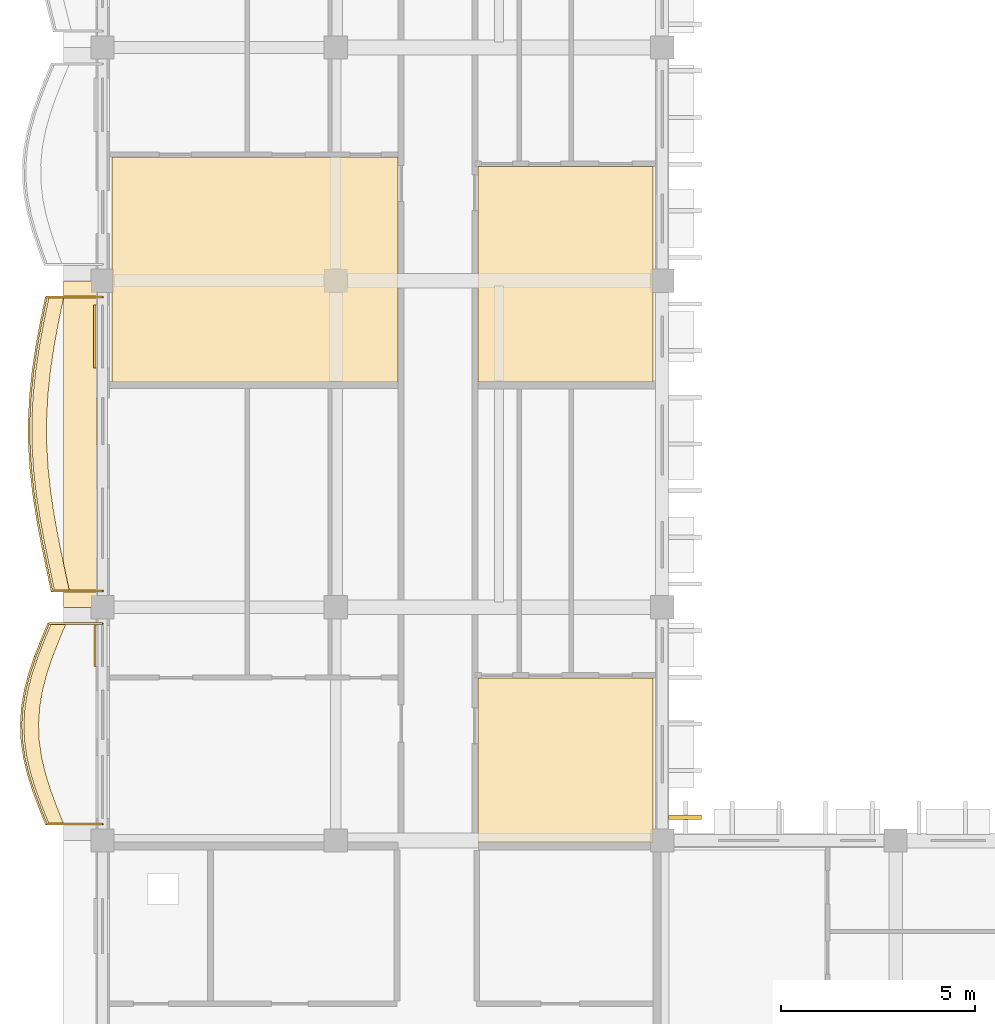
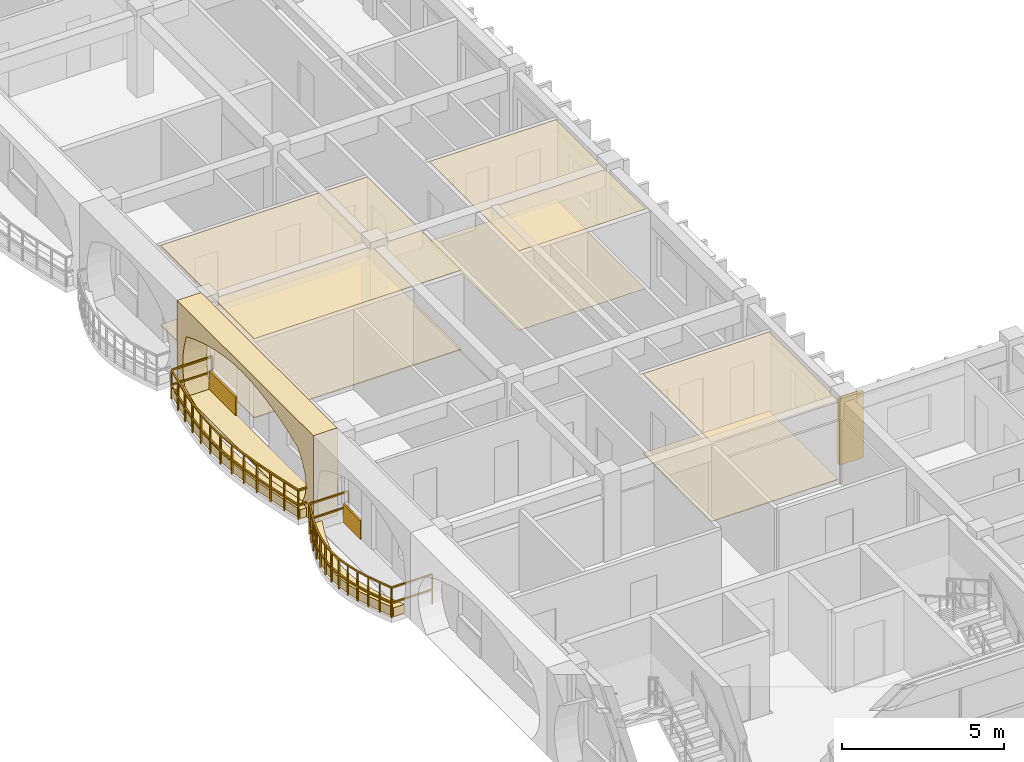
# One storey, part 70 of 101: 12 coverings, 2 railings.
"""IFC4 building model written with IfcOpenShell, lengths in metres."""

from ifc_helpers import new_model, si_unit, direction, frame, origin, origin_2d, place, context, subcontext, project, spatial, polyline, rectangle, outline, extrude, material, layer, layer_set, type_object, element, save


model = new_model("IFC4")

# Units and contexts
model_context = context("Model", 3, precision=1e-05, world=origin(), true_north=direction((0.0, 1.0)))
body_context = subcontext(model_context, "Body", "Model", "MODEL_VIEW")
ifc_project = project(units=[si_unit("LENGTHUNIT", "METRE"), si_unit("AREAUNIT", "SQUARE_METRE"), si_unit("VOLUMEUNIT", "CUBIC_METRE"), si_unit("PLANEANGLEUNIT", "RADIAN"), si_unit("MASSUNIT", "GRAM", prefix="KILO"), si_unit("THERMODYNAMICTEMPERATUREUNIT", "KELVIN")], contexts=[model_context])

# Site, building, storey
site_placement = place(None, origin())
site = spatial("IfcSite", under=ifc_project, at=site_placement, CompositionType="ELEMENT")
building_placement = place(site_placement, origin())
building = spatial("IfcBuilding", under=site, at=building_placement, Name="Thalorik Housing Commons", CompositionType="ELEMENT")
storey_placement = place(building_placement, frame((0.0, 0.0, 8.10009765625)))
storey = spatial("IfcBuildingStorey", under=building, at=storey_placement, Name="L02", CompositionType="ELEMENT", Elevation=8.10009765625)

# Coverings
ifc_material_1 = material(Name="Precast concrete C40/50", Category="concrete")
ifc_layer_1 = layer(ifc_material_1, 0.85009765625, Name="Precast concrete C40/50", Category="concrete")
ifc_layer_set_1 = layer_set([ifc_layer_1], Name="Precast concrete C40/50")
covering_type_1 = type_object("IfcCoveringType", Name="ARC-CLD-CUSH-850", PredefinedType="CLADDING", material=ifc_layer_set_1)
covering_1_placement = place(storey_placement, frame((7.81494140625, 33.0, 0.0), z_axis=(0.0, 0.0, 1.0), x_axis=(0.0, -1.0, 0.0)))
element("IfcCovering", 1, at=covering_1_placement, inside=storey, type_object=covering_type_1, Name="L02 White Precast Curved Cushion Bay Frame 3595", PredefinedType="CLADDING", context=body_context, shape_type="SweptSolid", body=[
    extrude(outline(polyline([(-4.199951171875, 0.0), (4.199951171875, 0.0), (4.199951171875, 3.300048828125), (-4.199951171875, 3.300048828125), (-4.199951171875, 0.0)]), holes=[polyline([(3.239990234375, 0.02490234375), (3.523193359375, 0.40087890625), (3.693359375, 0.776611328125), (3.75, 1.152587890625), (3.693359375, 1.5283203125), (3.523193359375, 1.904296875), (3.239990234375, 2.280029296875), (2.66796875, 2.51123046875), (2.095703125, 2.693115234375), (1.523681640625, 2.840087890625), (0.95166015625, 2.94970703125), (0.379638671875, 3.01708984375), (-0.1923828125, 3.0400390625), (-0.7646484375, 3.01708984375), (-1.336669921875, 2.94970703125), (-1.90869140625, 2.840087890625), (-2.480712890625, 2.693115234375), (-3.052978515625, 2.51123046875), (-3.625, 2.280029296875), (-3.746337890625, 1.904296875), (-3.819091796875, 1.5283203125), (-3.843505859375, 1.152587890625), (-3.819091796875, 0.776611328125), (-3.746337890625, 0.40087890625), (-3.625, 0.02490234375), (3.239990234375, 0.02490234375)])]), frame((0.0, 0.425048828125, 0.0), z_axis=(0.0, -1.0, 0.0), x_axis=(1.0, 0.0, 0.0)), (0.0, 0.0, 1.0), 0.85009765625),
])
ifc_layer_2 = layer(ifc_material_1, 0.85009765625, Name="Precast concrete C40/50", Category="concrete")
ifc_layer_set_2 = layer_set([ifc_layer_2], Name="Precast concrete C40/50")
covering_type_2 = type_object("IfcCoveringType", Name="ARC-CLD-FIN-850", PredefinedType="CLADDING", material=ifc_layer_set_2)
covering_2_placement = place(storey_placement, frame((23.385009765625, 23.39990234375, 0.039794921875), z_axis=(0.0, 0.0, 1.0), x_axis=(0.0, 1.0, 0.0)))
element("IfcCovering", 2, at=covering_2_placement, inside=storey, type_object=covering_type_2, Name="L02 Courtyard Precast Vertical Brise-Soleil Fin 3531", PredefinedType="CLADDING", context=body_context, shape_type="SweptSolid", body=[
    extrude(rectangle(XDim=0.110107421875, YDim=0.85009765625, at=origin_2d()), origin(), (0.0, 0.0, 1.0), 2.4951171875),
])
ifc_material_2 = material(Name="Terracotta red mineral fibre-cement panel", Category="masonry")
ifc_layer_3 = layer(ifc_material_2, 0.054931640625, Name="Terracotta red mineral fibre-cement panel", Category="masonry")
ifc_layer_set_3 = layer_set([ifc_layer_3], Name="Terracotta red mineral fibre-cement panel")
covering_type_3 = type_object("IfcCoveringType", Name="ARC-CLD-RED-55", PredefinedType="CLADDING", material=ifc_layer_set_3)
covering_3_placement = place(storey_placement, frame((8.20751953125, 27.800048828125, 0.0498046875), z_axis=(0.0, 0.0, 1.0), x_axis=(0.0, -1.0, 0.0)))
element("IfcCovering", 3, at=covering_3_placement, inside=storey, type_object=covering_type_3, Name="L02 De Stijl Recessed Window Spandrel 3598", PredefinedType="CLADDING", context=body_context, shape_type="SweptSolid", body=[
    extrude(rectangle(XDim=1.050048828125, YDim=0.054931640625, at=origin_2d()), origin(), (0.0, 0.0, 1.0), 0.699951171875),
])
ifc_material_3 = material(Name="Mineral ochre architectural terracotta panel", Category="masonry")
ifc_layer_4 = layer(ifc_material_3, 0.06494140625, Name="Mineral ochre architectural terracotta panel", Category="masonry")
ifc_layer_set_4 = layer_set([ifc_layer_4], Name="Mineral ochre architectural terracotta panel")
covering_type_4 = type_object("IfcCoveringType", Name="ARC-CLD-YEL-65", PredefinedType="CLADDING", material=ifc_layer_set_4)
covering_4_placement = place(storey_placement, frame((8.202392578125, 35.764892578125, 0.0498046875), z_axis=(0.0, 0.0, 1.0), x_axis=(0.0, -1.0, 0.0)))
element("IfcCovering", 4, at=covering_4_placement, inside=storey, type_object=covering_type_4, Name="L02 De Stijl Recessed Window Spandrel 3596", PredefinedType="CLADDING", context=body_context, shape_type="SweptSolid", body=[
    extrude(rectangle(XDim=1.6201171875, YDim=0.06494140625, at=origin_2d()), origin(), (0.0, 0.0, 1.0), 0.699951171875),
])
ifc_material_4 = material(Name="Perforated acoustic gypsum ceiling board")
ifc_layer_5 = layer(ifc_material_4, 0.014892578125, Name="Perforated acoustic gypsum ceiling board")
ifc_layer_set_5 = layer_set([ifc_layer_5], Name="Perforated acoustic gypsum ceiling board")
covering_type_5 = type_object("IfcCoveringType", Name="ARC-COV-CEIL-01", PredefinedType="CEILING", material=ifc_layer_set_5)
covering_5_placement = place(storey_placement, frame((0.0, 0.0, 2.98486328125)))
element("IfcCovering", 5, at=covering_5_placement, inside=storey, type_object=covering_type_5, Name="L02 Living Dining Room Suspended Ceiling", PredefinedType="CEILING", context=body_context, shape_type="SweptSolid", body=[
    extrude(outline(polyline([(22.56005859375, 40.142822265625), (18.06005859375, 40.142822265625), (18.06005859375, 34.60009765625), (22.56005859375, 34.60009765625), (22.56005859375, 40.142822265625)])), origin(), (0.0, 0.0, 1.0), 0.01513671875),
])
ifc_material_5 = material(Name="Fire-rated calcium silicate corridor ceiling")
ifc_layer_6 = layer(ifc_material_5, 0.030029296875, Name="Fire-rated calcium silicate corridor ceiling")
ifc_layer_set_6 = layer_set([ifc_layer_6], Name="Fire-rated calcium silicate corridor ceiling")
covering_type_6 = type_object("IfcCoveringType", Name="ARC-COV-CEIL-05", PredefinedType="CEILING", material=ifc_layer_set_6)
covering_6_placement = place(storey_placement, frame((0.0, 0.0, 2.969970703125)))
element("IfcCovering", 6, at=covering_6_placement, inside=storey, type_object=covering_type_6, Name="L02 Family Lounge Suspended Ceiling", PredefinedType="CEILING", context=body_context, shape_type="SweptSolid", body=[
    extrude(outline(polyline([(22.56005859375, 26.98291015625), (18.06005859375, 26.98291015625), (18.06005859375, 22.739990234375), (22.56005859375, 22.739990234375), (22.56005859375, 26.98291015625)])), origin(), (0.0, 0.0, 1.0), 0.030029296875),
])
ifc_material_6 = material(Name="Acoustic wood-wool nursery ceiling panel", Category="wood")
ifc_layer_7 = layer(ifc_material_6, 0.035888671875, Name="Acoustic wood-wool nursery ceiling panel", Category="wood")
ifc_layer_set_7 = layer_set([ifc_layer_7], Name="Acoustic wood-wool nursery ceiling panel")
covering_type_7 = type_object("IfcCoveringType", Name="ARC-COV-CEIL-06", PredefinedType="CEILING", material=ifc_layer_set_7)
covering_7_placement = place(storey_placement, frame((0.0, 0.0, 2.9638671875)))
element("IfcCovering", 7, at=covering_7_placement, inside=storey, type_object=covering_type_7, Name="L02 Living Dining Room Suspended Ceiling", PredefinedType="CEILING", context=body_context, shape_type="SweptSolid", body=[
    extrude(outline(polyline([(16.0, 40.3798828125), (8.639892578125, 40.3798828125), (8.639892578125, 34.60009765625), (16.0, 34.60009765625), (16.0, 40.3798828125)])), origin(), (0.0, 0.0, 1.0), 0.0361328125),
])
ifc_material_7 = material(Name="Glazed Recife ceramic apartment floor tile")
ifc_layer_8 = layer(ifc_material_7, 0.011962890625, Name="Glazed Recife ceramic apartment floor tile")
ifc_layer_set_8 = layer_set([ifc_layer_8], Name="Glazed Recife ceramic apartment floor tile")
covering_type_8 = type_object("IfcCoveringType", Name="ARC-COV-FLR-01", PredefinedType="FLOORING", material=ifc_layer_set_8)
covering_8_placement = place(storey_placement, origin())
element("IfcCovering", 8, at=covering_8_placement, inside=storey, type_object=covering_type_8, Name="L02 Living Dining Room Flooring", PredefinedType="FLOORING", context=body_context, shape_type="SweptSolid", body=[
    extrude(outline(polyline([(22.56005859375, 40.142822265625), (18.06005859375, 40.142822265625), (18.06005859375, 34.60009765625), (22.56005859375, 34.60009765625), (22.56005859375, 40.142822265625)])), origin(), (0.0, 0.0, 1.0), 0.011962890625),
])
ifc_material_8 = material(Name="Heavy-duty porcelain metro vestibule tile")
ifc_layer_9 = layer(ifc_material_8, 0.028076171875, Name="Heavy-duty porcelain metro vestibule tile")
ifc_layer_set_9 = layer_set([ifc_layer_9], Name="Heavy-duty porcelain metro vestibule tile")
covering_type_9 = type_object("IfcCoveringType", Name="ARC-COV-FLR-05", PredefinedType="FLOORING", material=ifc_layer_set_9)
covering_9_placement = place(storey_placement, origin())
element("IfcCovering", 9, at=covering_9_placement, inside=storey, type_object=covering_type_9, Name="L02 Family Lounge Flooring", PredefinedType="FLOORING", context=body_context, shape_type="SweptSolid", body=[
    extrude(outline(polyline([(22.56005859375, 26.98291015625), (18.06005859375, 26.98291015625), (18.06005859375, 22.739990234375), (22.56005859375, 22.739990234375), (22.56005859375, 26.98291015625)])), origin(), (0.0, 0.0, 1.0), 0.02783203125),
])
ifc_material_9 = material(Name="Epoxy-sealed concrete plant and bicycle hub finish", Category="concrete")
ifc_layer_10 = layer(ifc_material_9, 0.031982421875, Name="Epoxy-sealed concrete plant and bicycle hub finish", Category="concrete")
ifc_layer_set_10 = layer_set([ifc_layer_10], Name="Epoxy-sealed concrete plant and bicycle hub finish")
covering_type_10 = type_object("IfcCoveringType", Name="ARC-COV-FLR-06", PredefinedType="FLOORING", material=ifc_layer_set_10)
covering_10_placement = place(storey_placement, origin())
element("IfcCovering", 10, at=covering_10_placement, inside=storey, type_object=covering_type_10, Name="L02 Living Dining Room Flooring", PredefinedType="FLOORING", context=body_context, shape_type="SweptSolid", body=[
    extrude(outline(polyline([(16.0, 40.3798828125), (8.639892578125, 40.3798828125), (8.639892578125, 34.60009765625), (16.0, 34.60009765625), (16.0, 40.3798828125)])), origin(), (0.0, 0.0, 1.0), 0.031982421875),
])
ifc_material_10 = material(Name="Planted vegetated substrate and terracotta trough", Category="masonry")
ifc_layer_11 = layer(ifc_material_10, 0.340087890625, Name="Planted vegetated substrate and terracotta trough", Category="masonry")
ifc_layer_set_11 = layer_set([ifc_layer_11], Name="Planted vegetated substrate and terracotta trough")
covering_type_11 = type_object("IfcCoveringType", Name="ARC-COV-PLANTER", PredefinedType="USERDEFINED", material=ifc_layer_set_11)
covering_11_placement = place(storey_placement, origin())
element("IfcCovering", 11, at=covering_11_placement, inside=storey, type_object=covering_type_11, Name="L02 Balcony Slab-Edge Planted Trough 5567", ObjectType="PLANTER", PredefinedType="USERDEFINED", context=body_context, shape_type="SweptSolid", body=[
    extrude(outline(polyline([(7.079345703125, 28.3798828125), (6.8994140625, 27.949951171875), (6.73193359375, 27.52001953125), (6.58740234375, 27.090087890625), (6.475341796875, 26.659912109375), (6.402587890625, 26.22998046875), (6.3740234375, 25.800048828125), (6.39111328125, 25.3701171875), (6.452880859375, 24.93994140625), (6.5546875, 24.510009765625), (6.68994140625, 24.080078125), (6.849853515625, 23.64990234375), (7.023681640625, 23.219970703125), (7.40380859375, 23.219970703125), (7.229736328125, 23.64990234375), (7.06982421875, 24.080078125), (6.9345703125, 24.510009765625), (6.832763671875, 24.93994140625), (6.771240234375, 25.3701171875), (6.754150390625, 25.800048828125), (6.78271484375, 26.22998046875), (6.855224609375, 26.659912109375), (6.967529296875, 27.090087890625), (7.11181640625, 27.52001953125), (7.279541015625, 27.949951171875), (7.459228515625, 28.3798828125), (7.079345703125, 28.3798828125)])), origin(), (0.0, 0.0, 1.0), 0.33984375),
])
covering_12_placement = place(storey_placement, origin())
element("IfcCovering", 12, at=covering_12_placement, inside=storey, type_object=covering_type_11, Name="L02 Balcony Slab-Edge Planted Trough 5568", ObjectType="PLANTER", PredefinedType="USERDEFINED", context=body_context, shape_type="SweptSolid", body=[
    extrude(outline(polyline([(7.021484375, 36.780029296875), (6.889892578125, 36.14990234375), (6.773193359375, 35.52001953125), (6.67919921875, 34.889892578125), (6.613525390625, 34.260009765625), (6.5810546875, 33.6298828125), (6.58349609375, 33.0), (6.620361328125, 32.3701171875), (6.689208984375, 31.739990234375), (6.785400390625, 31.110107421875), (6.90234375, 30.47998046875), (7.031982421875, 29.85009765625), (7.165771484375, 29.219970703125), (7.5458984375, 29.219970703125), (7.412109375, 29.85009765625), (7.282470703125, 30.47998046875), (7.16552734375, 31.110107421875), (7.0693359375, 31.739990234375), (7.00048828125, 32.3701171875), (6.96337890625, 33.0), (6.961181640625, 33.6298828125), (6.99365234375, 34.260009765625), (7.05908203125, 34.889892578125), (7.1533203125, 35.52001953125), (7.27001953125, 36.14990234375), (7.4013671875, 36.780029296875), (7.021484375, 36.780029296875)])), origin(), (0.0, 0.0, 1.0), 0.33984375),
])

# Railings
ifc_material_11 = material(Name="Steel S355", Category="steel")
railing_type_1 = type_object("IfcRailingType", Name="ARC-RL-BAL-112", PredefinedType="BALUSTRADE", material=ifc_material_11)
railing_1_placement = place(storey_placement, frame((8.39990234375, 36.780029296875, 0.0)))
element("IfcRailing", 13, at=railing_1_placement, inside=storey, type_object=railing_type_1, Name="L02 Cushion Balcony Guardrail 252", PredefinedType="BALUSTRADE", context=body_context, shape_type="SweptSolid", body=[
    extrude(rectangle(XDim=0.050048828125, YDim=0.050048828125, at=origin_2d()), frame((0.0, 0.0, 1.09521484375), z_axis=(-1.0, 0.0, 0.0), x_axis=(0.0, -1.0, 0.0)), (0.0, 0.0, 1.0), 1.448486328125),
    extrude(rectangle(XDim=0.050048828125, YDim=0.050048828125, at=origin_2d()), frame((0.0, 0.0, 0.53515625), z_axis=(-1.0, 0.0, 0.0), x_axis=(0.0, -1.0, 0.0)), (0.0, 0.0, 1.0), 1.448486328125),
    extrude(rectangle(XDim=0.050048828125, YDim=0.050048828125, at=origin_2d()), frame((-1.448486328125, 0.0, 1.09521484375), z_axis=(-0.204060278582, -0.978958325316, 0.0), x_axis=(0.978958325316, -0.204060278582, 0.0)), (0.0, 0.0, 1.0), 0.6435546875),
    extrude(rectangle(XDim=0.050048828125, YDim=0.050048828125, at=origin_2d()), frame((-1.448486328125, 0.0, 0.53515625), z_axis=(-0.204060278582, -0.978958325316, 0.0), x_axis=(0.978958325316, -0.204060278582, 0.0)), (0.0, 0.0, 1.0), 0.6435546875),
    extrude(rectangle(XDim=0.050048828125, YDim=0.050048828125, at=origin_2d()), frame((-1.579833984375, -0.630126953125, 1.09521484375), z_axis=(-0.182171142854, -0.983266838, 0.0), x_axis=(0.983266838, -0.182171142854, 0.0)), (0.0, 0.0, 1.0), 0.640625),
    extrude(rectangle(XDim=0.050048828125, YDim=0.050048828125, at=origin_2d()), frame((-1.579833984375, -0.630126953125, 0.53515625), z_axis=(-0.182171142854, -0.983266838, 0.0), x_axis=(0.983266838, -0.182171142854, 0.0)), (0.0, 0.0, 1.0), 0.640625),
    extrude(rectangle(XDim=0.050048828125, YDim=0.050048828125, at=origin_2d()), frame((-1.696533203125, -1.260009765625, 1.09521484375), z_axis=(-0.147909472647, -0.989000903893, 0.0), x_axis=(0.989000903893, -0.147909472647, 0.0)), (0.0, 0.0, 1.0), 0.63720703125),
    extrude(rectangle(XDim=0.050048828125, YDim=0.050048828125, at=origin_2d()), frame((-1.696533203125, -1.260009765625, 0.53515625), z_axis=(-0.147909472647, -0.989000903893, 0.0), x_axis=(0.989000903893, -0.147909472647, 0.0)), (0.0, 0.0, 1.0), 0.63720703125),
    extrude(rectangle(XDim=0.050048828125, YDim=0.050048828125, at=origin_2d()), frame((-1.790771484375, -1.89013671875, 1.09521484375), z_axis=(-0.10332004178, -0.994648163406, 0.0), x_axis=(0.994648163406, -0.10332004178, 0.0)), (0.0, 0.0, 1.0), 0.63330078125),
    extrude(rectangle(XDim=0.050048828125, YDim=0.050048828125, at=origin_2d()), frame((-1.790771484375, -1.89013671875, 0.53515625), z_axis=(-0.10332004178, -0.994648163406, 0.0), x_axis=(0.994648163406, -0.10332004178, 0.0)), (0.0, 0.0, 1.0), 0.63330078125),
    extrude(rectangle(XDim=0.050048828125, YDim=0.050048828125, at=origin_2d()), frame((-1.856201171875, -2.52001953125, 1.09521484375), z_axis=(-0.05184803106, -0.998654986307, 0.0), x_axis=(0.998654986307, -0.05184803106, 0.0)), (0.0, 0.0, 1.0), 0.630859375),
    extrude(rectangle(XDim=0.050048828125, YDim=0.050048828125, at=origin_2d()), frame((-1.856201171875, -2.52001953125, 0.53515625), z_axis=(-0.05184803106, -0.998654986307, 0.0), x_axis=(0.998654986307, -0.05184803106, 0.0)), (0.0, 0.0, 1.0), 0.630859375),
    extrude(rectangle(XDim=0.050048828125, YDim=0.050048828125, at=origin_2d()), frame((-1.888916015625, -3.150146484375, 1.09521484375), z_axis=(0.003875939878, -0.999992488517, 0.0), x_axis=(0.999992488517, 0.003875939878, 0.0)), (0.0, 0.0, 1.0), 0.6298828125),
    extrude(rectangle(XDim=0.050048828125, YDim=0.050048828125, at=origin_2d()), frame((-1.888916015625, -3.150146484375, 0.53515625), z_axis=(0.003875939878, -0.999992488517, 0.0), x_axis=(0.999992488517, 0.003875939878, 0.0)), (0.0, 0.0, 1.0), 0.6298828125),
    extrude(rectangle(XDim=0.050048828125, YDim=0.050048828125, at=origin_2d()), frame((-1.886474609375, -3.780029296875, 1.09521484375), z_axis=(0.058427148419, -0.998291674977, 0.0), x_axis=(0.998291674977, 0.058427148419, 0.0)), (0.0, 0.0, 1.0), 0.630859375),
    extrude(rectangle(XDim=0.050048828125, YDim=0.050048828125, at=origin_2d()), frame((-1.886474609375, -3.780029296875, 0.53515625), z_axis=(0.058427148419, -0.998291674977, 0.0), x_axis=(0.998291674977, 0.058427148419, 0.0)), (0.0, 0.0, 1.0), 0.630859375),
    extrude(rectangle(XDim=0.050048828125, YDim=0.050048828125, at=origin_2d()), frame((-1.849609375, -4.409912109375, 1.09521484375), z_axis=(0.108994186572, -0.994042387071, 0.0), x_axis=(0.994042387071, 0.108994186572, 0.0)), (0.0, 0.0, 1.0), 0.6337890625),
    extrude(rectangle(XDim=0.050048828125, YDim=0.050048828125, at=origin_2d()), frame((-1.849609375, -4.409912109375, 0.53515625), z_axis=(0.108994186572, -0.994042387071, 0.0), x_axis=(0.994042387071, 0.108994186572, 0.0)), (0.0, 0.0, 1.0), 0.6337890625),
    extrude(rectangle(XDim=0.050048828125, YDim=0.050048828125, at=origin_2d()), frame((-1.780517578125, -5.0400390625, 1.09521484375), z_axis=(0.150962995847, -0.988539414432, 0.0), x_axis=(0.988539414432, 0.150962995847, 0.0)), (0.0, 0.0, 1.0), 0.63720703125),
    extrude(rectangle(XDim=0.050048828125, YDim=0.050048828125, at=origin_2d()), frame((-1.780517578125, -5.0400390625, 0.53515625), z_axis=(0.150962995847, -0.988539414432, 0.0), x_axis=(0.988539414432, 0.150962995847, 0.0)), (0.0, 0.0, 1.0), 0.63720703125),
    extrude(rectangle(XDim=0.050048828125, YDim=0.050048828125, at=origin_2d()), frame((-1.684326171875, -5.669921875, 1.09521484375), z_axis=(0.182471198861, -0.983211198872, 0.0), x_axis=(0.983211198872, 0.182471198861, 0.0)), (0.0, 0.0, 1.0), 0.640869140625),
    extrude(rectangle(XDim=0.050048828125, YDim=0.050048828125, at=origin_2d()), frame((-1.684326171875, -5.669921875, 0.53515625), z_axis=(0.182471198861, -0.983211198872, 0.0), x_axis=(0.983211198872, 0.182471198861, 0.0)), (0.0, 0.0, 1.0), 0.640869140625),
    extrude(rectangle(XDim=0.050048828125, YDim=0.050048828125, at=origin_2d()), frame((-1.5673828125, -6.300048828125, 1.09521484375), z_axis=(0.201588649293, -0.979470273401, 0.0), x_axis=(0.979470273401, 0.201588649293, 0.0)), (0.0, 0.0, 1.0), 0.64306640625),
    extrude(rectangle(XDim=0.050048828125, YDim=0.050048828125, at=origin_2d()), frame((-1.5673828125, -6.300048828125, 0.53515625), z_axis=(0.201588649293, -0.979470273401, 0.0), x_axis=(0.979470273401, 0.201588649293, 0.0)), (0.0, 0.0, 1.0), 0.64306640625),
    extrude(rectangle(XDim=0.050048828125, YDim=0.050048828125, at=origin_2d()), frame((-1.437744140625, -6.929931640625, 1.09521484375), z_axis=(0.207328346642, -0.978271412584, 0.0), x_axis=(0.978271412584, 0.207328346642, 0.0)), (0.0, 0.0, 1.0), 0.64404296875),
    extrude(rectangle(XDim=0.050048828125, YDim=0.050048828125, at=origin_2d()), frame((-1.437744140625, -6.929931640625, 0.53515625), z_axis=(0.207328346642, -0.978271412584, 0.0), x_axis=(0.978271412584, 0.207328346642, 0.0)), (0.0, 0.0, 1.0), 0.64404296875),
    extrude(rectangle(XDim=0.050048828125, YDim=0.050048828125, at=origin_2d()), frame((-1.30419921875, -7.56005859375, 1.09521484375), z_axis=(1.0, 0.0, 0.0), x_axis=(0.0, 1.0, 0.0)), (0.0, 0.0, 1.0), 1.30419921875),
    extrude(rectangle(XDim=0.050048828125, YDim=0.050048828125, at=origin_2d()), frame((-1.30419921875, -7.56005859375, 0.53515625), z_axis=(1.0, 0.0, 0.0), x_axis=(0.0, 1.0, 0.0)), (0.0, 0.0, 1.0), 1.30419921875),
    extrude(rectangle(XDim=0.0419921875, YDim=0.0419921875, at=origin_2d()), origin(), (0.0, 0.0, 1.0), 1.070068359375),
    extrude(rectangle(XDim=0.0419921875, YDim=0.0419921875, at=origin_2d()), frame((-1.448486328125, 0.0, 0.0)), (0.0, 0.0, 1.0), 1.070068359375),
    extrude(rectangle(XDim=0.0419921875, YDim=0.0419921875, at=origin_2d()), frame((-1.579833984375, -0.630126953125, 0.0)), (0.0, 0.0, 1.0), 1.070068359375),
    extrude(rectangle(XDim=0.0419921875, YDim=0.0419921875, at=origin_2d()), frame((-1.696533203125, -1.260009765625, 0.0)), (0.0, 0.0, 1.0), 1.070068359375),
    extrude(rectangle(XDim=0.0419921875, YDim=0.0419921875, at=origin_2d()), frame((-1.790771484375, -1.89013671875, 0.0)), (0.0, 0.0, 1.0), 1.070068359375),
    extrude(rectangle(XDim=0.0419921875, YDim=0.0419921875, at=origin_2d()), frame((-1.856201171875, -2.52001953125, 0.0)), (0.0, 0.0, 1.0), 1.070068359375),
    extrude(rectangle(XDim=0.0419921875, YDim=0.0419921875, at=origin_2d()), frame((-1.888916015625, -3.150146484375, 0.0)), (0.0, 0.0, 1.0), 1.070068359375),
    extrude(rectangle(XDim=0.0419921875, YDim=0.0419921875, at=origin_2d()), frame((-1.886474609375, -3.780029296875, 0.0)), (0.0, 0.0, 1.0), 1.070068359375),
    extrude(rectangle(XDim=0.0419921875, YDim=0.0419921875, at=origin_2d()), frame((-1.849609375, -4.409912109375, 0.0)), (0.0, 0.0, 1.0), 1.070068359375),
    extrude(rectangle(XDim=0.0419921875, YDim=0.0419921875, at=origin_2d()), frame((-1.780517578125, -5.0400390625, 0.0)), (0.0, 0.0, 1.0), 1.070068359375),
    extrude(rectangle(XDim=0.0419921875, YDim=0.0419921875, at=origin_2d()), frame((-1.684326171875, -5.669921875, 0.0)), (0.0, 0.0, 1.0), 1.070068359375),
    extrude(rectangle(XDim=0.0419921875, YDim=0.0419921875, at=origin_2d()), frame((-1.5673828125, -6.300048828125, 0.0)), (0.0, 0.0, 1.0), 1.070068359375),
    extrude(rectangle(XDim=0.0419921875, YDim=0.0419921875, at=origin_2d()), frame((-1.437744140625, -6.929931640625, 0.0)), (0.0, 0.0, 1.0), 1.070068359375),
    extrude(rectangle(XDim=0.0419921875, YDim=0.0419921875, at=origin_2d()), frame((-1.30419921875, -7.56005859375, 0.0)), (0.0, 0.0, 1.0), 1.070068359375),
    extrude(rectangle(XDim=0.0419921875, YDim=0.0419921875, at=origin_2d()), frame((0.0, -7.56005859375, 0.0)), (0.0, 0.0, 1.0), 1.070068359375),
])
railing_type_2 = type_object("IfcRailingType", Name="ARC-RL-BAL-115", PredefinedType="BALUSTRADE", material=ifc_material_11)
railing_2_placement = place(storey_placement, frame((8.39990234375, 28.3798828125, 0.0)))
element("IfcRailing", 14, at=railing_2_placement, inside=storey, type_object=railing_type_2, Name="L02 Cushion Balcony Guardrail 251", PredefinedType="BALUSTRADE", context=body_context, shape_type="SweptSolid", body=[
    extrude(rectangle(XDim=0.050048828125, YDim=0.050048828125, at=origin_2d()), frame((0.0, 0.0, 1.125), z_axis=(-1.0, 0.0, 0.0), x_axis=(0.0, -1.0, 0.0)), (0.0, 0.0, 1.0), 1.390625),
    extrude(rectangle(XDim=0.050048828125, YDim=0.050048828125, at=origin_2d()), frame((0.0, 0.0, 0.5498046875), z_axis=(-1.0, 0.0, 0.0), x_axis=(0.0, -1.0, 0.0)), (0.0, 0.0, 1.0), 1.390625),
    extrude(rectangle(XDim=0.050048828125, YDim=0.050048828125, at=origin_2d()), frame((-1.390625, 0.0, 1.125), z_axis=(-0.385619633043, -0.922657844822, 0.0), x_axis=(0.922657844822, -0.385619633043, 0.0)), (0.0, 0.0, 1.0), 0.466064453125),
    extrude(rectangle(XDim=0.050048828125, YDim=0.050048828125, at=origin_2d()), frame((-1.390625, 0.0, 0.5498046875), z_axis=(-0.385619633043, -0.922657844822, 0.0), x_axis=(0.922657844822, -0.385619633043, 0.0)), (0.0, 0.0, 1.0), 0.466064453125),
    extrude(rectangle(XDim=0.050048828125, YDim=0.050048828125, at=origin_2d()), frame((-1.5703125, -0.429931640625, 1.125), z_axis=(-0.363441703429, -0.931616942852, 0.0), x_axis=(0.931616942852, -0.363441703429, 0.0)), (0.0, 0.0, 1.0), 0.46142578125),
    extrude(rectangle(XDim=0.050048828125, YDim=0.050048828125, at=origin_2d()), frame((-1.5703125, -0.429931640625, 0.5498046875), z_axis=(-0.363441703429, -0.931616942852, 0.0), x_axis=(0.931616942852, -0.363441703429, 0.0)), (0.0, 0.0, 1.0), 0.46142578125),
    extrude(rectangle(XDim=0.050048828125, YDim=0.050048828125, at=origin_2d()), frame((-1.738037109375, -0.85986328125, 1.125), z_axis=(-0.318165168077, -0.948035297772, 0.0), x_axis=(0.948035297772, -0.318165168077, 0.0)), (0.0, 0.0, 1.0), 0.45361328125),
    extrude(rectangle(XDim=0.050048828125, YDim=0.050048828125, at=origin_2d()), frame((-1.738037109375, -0.85986328125, 0.5498046875), z_axis=(-0.318165168077, -0.948035297772, 0.0), x_axis=(0.948035297772, -0.318165168077, 0.0)), (0.0, 0.0, 1.0), 0.45361328125),
    extrude(rectangle(XDim=0.050048828125, YDim=0.050048828125, at=origin_2d()), frame((-1.88232421875, -1.289794921875, 1.125), z_axis=(-0.252600725208, -0.967570603948, 0.0), x_axis=(0.967570603948, -0.252600725208, 0.0)), (0.0, 0.0, 1.0), 0.444580078125),
    extrude(rectangle(XDim=0.050048828125, YDim=0.050048828125, at=origin_2d()), frame((-1.88232421875, -1.289794921875, 0.5498046875), z_axis=(-0.252600725208, -0.967570603948, 0.0), x_axis=(0.967570603948, -0.252600725208, 0.0)), (0.0, 0.0, 1.0), 0.444580078125),
    extrude(rectangle(XDim=0.050048828125, YDim=0.050048828125, at=origin_2d()), frame((-1.99462890625, -1.719970703125, 1.125), z_axis=(-0.16630554136, -0.986074270485, 0.0), x_axis=(0.986074270485, -0.16630554136, 0.0)), (0.0, 0.0, 1.0), 0.43603515625),
    extrude(rectangle(XDim=0.050048828125, YDim=0.050048828125, at=origin_2d()), frame((-1.99462890625, -1.719970703125, 0.5498046875), z_axis=(-0.16630554136, -0.986074270485, 0.0), x_axis=(0.986074270485, -0.16630554136, 0.0)), (0.0, 0.0, 1.0), 0.43603515625),
    extrude(rectangle(XDim=0.050048828125, YDim=0.050048828125, at=origin_2d()), frame((-2.067138671875, -2.14990234375, 1.125), z_axis=(-0.06629336768, -0.997800175086, 0.0), x_axis=(0.997800175086, -0.06629336768, 0.0)), (0.0, 0.0, 1.0), 0.430908203125),
    extrude(rectangle(XDim=0.050048828125, YDim=0.050048828125, at=origin_2d()), frame((-2.067138671875, -2.14990234375, 0.5498046875), z_axis=(-0.06629336768, -0.997800175086, 0.0), x_axis=(0.997800175086, -0.06629336768, 0.0)), (0.0, 0.0, 1.0), 0.430908203125),
    extrude(rectangle(XDim=0.050048828125, YDim=0.050048828125, at=origin_2d()), frame((-2.095703125, -2.579833984375, 1.125), z_axis=(0.039718775053, -0.999210898113, 0.0), x_axis=(0.999210898113, 0.039718775053, 0.0)), (0.0, 0.0, 1.0), 0.43017578125),
    extrude(rectangle(XDim=0.050048828125, YDim=0.050048828125, at=origin_2d()), frame((-2.095703125, -2.579833984375, 0.5498046875), z_axis=(0.039718775053, -0.999210898113, 0.0), x_axis=(0.999210898113, 0.039718775053, 0.0)), (0.0, 0.0, 1.0), 0.43017578125),
    extrude(rectangle(XDim=0.050048828125, YDim=0.050048828125, at=origin_2d()), frame((-2.07861328125, -3.009765625, 1.125), z_axis=(0.141578664079, -0.989927008359, 0.0), x_axis=(0.989927008359, 0.141578664079, 0.0)), (0.0, 0.0, 1.0), 0.4345703125),
    extrude(rectangle(XDim=0.050048828125, YDim=0.050048828125, at=origin_2d()), frame((-2.07861328125, -3.009765625, 0.5498046875), z_axis=(0.141578664079, -0.989927008359, 0.0), x_axis=(0.989927008359, 0.141578664079, 0.0)), (0.0, 0.0, 1.0), 0.4345703125),
    extrude(rectangle(XDim=0.050048828125, YDim=0.050048828125, at=origin_2d()), frame((-2.01708984375, -3.43994140625, 1.125), z_axis=(0.230425076192, -0.973090069964, 0.0), x_axis=(0.973090069964, 0.230425076192, 0.0)), (0.0, 0.0, 1.0), 0.44189453125),
    extrude(rectangle(XDim=0.050048828125, YDim=0.050048828125, at=origin_2d()), frame((-2.01708984375, -3.43994140625, 0.5498046875), z_axis=(0.230425076192, -0.973090069964, 0.0), x_axis=(0.973090069964, 0.230425076192, 0.0)), (0.0, 0.0, 1.0), 0.44189453125),
    extrude(rectangle(XDim=0.050048828125, YDim=0.050048828125, at=origin_2d()), frame((-1.915283203125, -3.869873046875, 1.125), z_axis=(0.300094208559, -0.953909569084, 0.0), x_axis=(0.953909569084, 0.300094208559, 0.0)), (0.0, 0.0, 1.0), 0.45068359375),
    extrude(rectangle(XDim=0.050048828125, YDim=0.050048828125, at=origin_2d()), frame((-1.915283203125, -3.869873046875, 0.5498046875), z_axis=(0.300094208559, -0.953909569084, 0.0), x_axis=(0.953909569084, 0.300094208559, 0.0)), (0.0, 0.0, 1.0), 0.45068359375),
    extrude(rectangle(XDim=0.050048828125, YDim=0.050048828125, at=origin_2d()), frame((-1.780029296875, -4.2998046875, 1.125), z_axis=(0.348440290152, -0.937330979003, 0.0), x_axis=(0.937330979003, 0.348440290152, 0.0)), (0.0, 0.0, 1.0), 0.458984375),
    extrude(rectangle(XDim=0.050048828125, YDim=0.050048828125, at=origin_2d()), frame((-1.780029296875, -4.2998046875, 0.5498046875), z_axis=(0.348440290152, -0.937330979003, 0.0), x_axis=(0.937330979003, 0.348440290152, 0.0)), (0.0, 0.0, 1.0), 0.458984375),
    extrude(rectangle(XDim=0.050048828125, YDim=0.050048828125, at=origin_2d()), frame((-1.6201171875, -4.72998046875, 1.125), z_axis=(0.374837314047, -0.927090603985, 0.0), x_axis=(0.927090603985, 0.374837314047, 0.0)), (0.0, 0.0, 1.0), 0.463623046875),
    extrude(rectangle(XDim=0.050048828125, YDim=0.050048828125, at=origin_2d()), frame((-1.6201171875, -4.72998046875, 0.5498046875), z_axis=(0.374837314047, -0.927090603985, 0.0), x_axis=(0.927090603985, 0.374837314047, 0.0)), (0.0, 0.0, 1.0), 0.463623046875),
    extrude(rectangle(XDim=0.050048828125, YDim=0.050048828125, at=origin_2d()), frame((-1.4462890625, -5.159912109375, 1.125), z_axis=(1.0, 0.0, 0.0), x_axis=(0.0, 1.0, 0.0)), (0.0, 0.0, 1.0), 1.4462890625),
    extrude(rectangle(XDim=0.050048828125, YDim=0.050048828125, at=origin_2d()), frame((-1.4462890625, -5.159912109375, 0.5498046875), z_axis=(1.0, 0.0, 0.0), x_axis=(0.0, 1.0, 0.0)), (0.0, 0.0, 1.0), 1.4462890625),
    extrude(rectangle(XDim=0.0419921875, YDim=0.0419921875, at=origin_2d()), origin(), (0.0, 0.0, 1.0), 1.099853515625),
    extrude(rectangle(XDim=0.0419921875, YDim=0.0419921875, at=origin_2d()), frame((-1.390625, 0.0, 0.0)), (0.0, 0.0, 1.0), 1.099853515625),
    extrude(rectangle(XDim=0.0419921875, YDim=0.0419921875, at=origin_2d()), frame((-1.5703125, -0.429931640625, 0.0)), (0.0, 0.0, 1.0), 1.099853515625),
    extrude(rectangle(XDim=0.0419921875, YDim=0.0419921875, at=origin_2d()), frame((-1.738037109375, -0.85986328125, 0.0)), (0.0, 0.0, 1.0), 1.099853515625),
    extrude(rectangle(XDim=0.0419921875, YDim=0.0419921875, at=origin_2d()), frame((-1.88232421875, -1.289794921875, 0.0)), (0.0, 0.0, 1.0), 1.099853515625),
    extrude(rectangle(XDim=0.0419921875, YDim=0.0419921875, at=origin_2d()), frame((-1.99462890625, -1.719970703125, 0.0)), (0.0, 0.0, 1.0), 1.099853515625),
    extrude(rectangle(XDim=0.0419921875, YDim=0.0419921875, at=origin_2d()), frame((-2.067138671875, -2.14990234375, 0.0)), (0.0, 0.0, 1.0), 1.099853515625),
    extrude(rectangle(XDim=0.0419921875, YDim=0.0419921875, at=origin_2d()), frame((-2.095703125, -2.579833984375, 0.0)), (0.0, 0.0, 1.0), 1.099853515625),
    extrude(rectangle(XDim=0.0419921875, YDim=0.0419921875, at=origin_2d()), frame((-2.07861328125, -3.009765625, 0.0)), (0.0, 0.0, 1.0), 1.099853515625),
    extrude(rectangle(XDim=0.0419921875, YDim=0.0419921875, at=origin_2d()), frame((-2.01708984375, -3.43994140625, 0.0)), (0.0, 0.0, 1.0), 1.099853515625),
    extrude(rectangle(XDim=0.0419921875, YDim=0.0419921875, at=origin_2d()), frame((-1.915283203125, -3.869873046875, 0.0)), (0.0, 0.0, 1.0), 1.099853515625),
    extrude(rectangle(XDim=0.0419921875, YDim=0.0419921875, at=origin_2d()), frame((-1.780029296875, -4.2998046875, 0.0)), (0.0, 0.0, 1.0), 1.099853515625),
    extrude(rectangle(XDim=0.0419921875, YDim=0.0419921875, at=origin_2d()), frame((-1.6201171875, -4.72998046875, 0.0)), (0.0, 0.0, 1.0), 1.099853515625),
    extrude(rectangle(XDim=0.0419921875, YDim=0.0419921875, at=origin_2d()), frame((-1.4462890625, -5.159912109375, 0.0)), (0.0, 0.0, 1.0), 1.099853515625),
    extrude(rectangle(XDim=0.0419921875, YDim=0.0419921875, at=origin_2d()), frame((0.0, -5.159912109375, 0.0)), (0.0, 0.0, 1.0), 1.099853515625),
])

save(model, "model.ifc")
